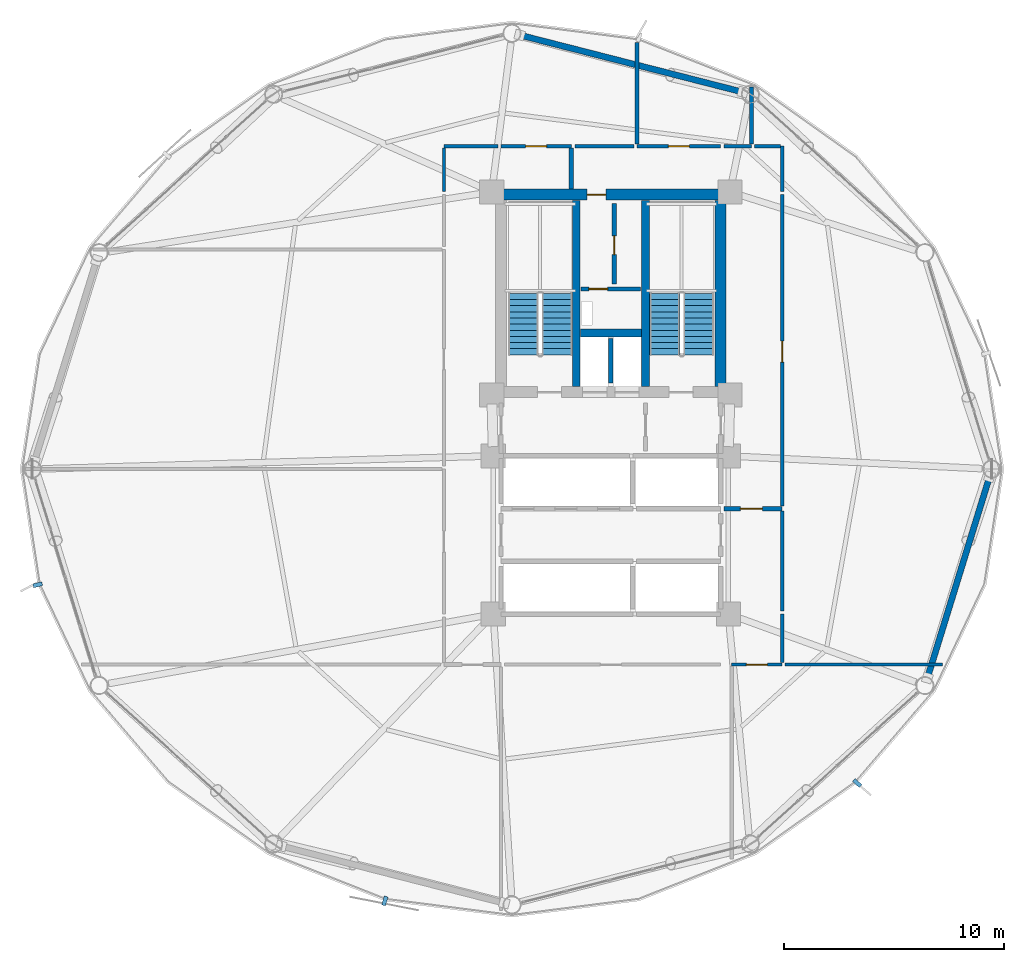
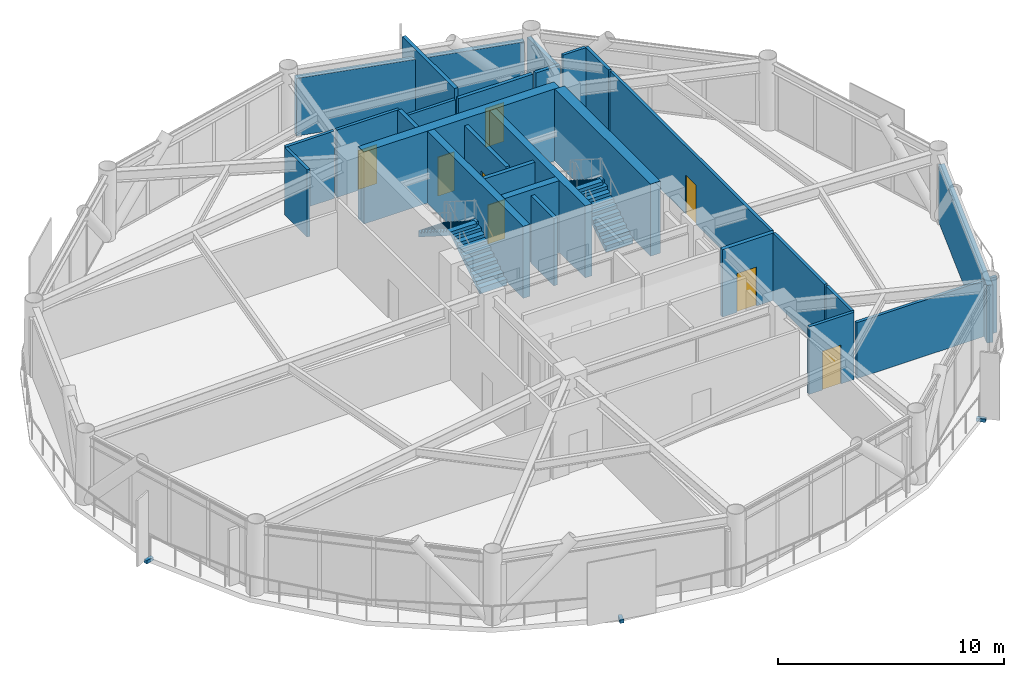
# One storey, part 22 of 26: 27 walls, 8 doors, 4 stair flights, 3 discrete accessories, 8 openings, 2 elements without a shape of their own.
"""IFC4 building model written with IfcOpenShell, lengths in metres."""

import ifcopenshell
import ifcopenshell.guid

model = None  # the IFC model being written
_history = None  # IfcOwnerHistory: only IFC2X3 demands one
_inside = {}  # id of a spatial element -> (the spatial element, [elements in it])
_under = {}  # id of a project, library or spatial element -> (it, [spatial elements below it])
_declared = {}  # id of a project -> (the project, [libraries it declares])
_typed = {}  # id of a type object -> (the type object, [elements of that type])
_made_of = {}  # id of a material, layer set ... -> (it, [elements and type objects made of it])


def new_model(schema):
    """Start an empty IFC model of exactly this schema.

    Asked for "IFC4X3", IfcOpenShell would pick the latest addendum, in which some entities
    have other attributes; the version numbers below select the first issue.
    IFC2X3 requires an IfcOwnerHistory on every rooted entity: one is made here for all.
    """
    global model, _history
    if schema == "IFC4X3":
        model = ifcopenshell.file(schema_version=(4, 3, 0, 0))
    else:
        model = ifcopenshell.file(schema=schema)
    _inside.clear()
    _under.clear()
    _declared.clear()
    _typed.clear()
    _made_of.clear()
    _history = None
    if model.schema == "IFC2X3":
        org = make("IfcOrganization", Name="unknown")
        user = make(
            "IfcPersonAndOrganization",
            ThePerson=make("IfcPerson", FamilyName="unknown"),
            TheOrganization=org,
        )
        app = make(
            "IfcApplication",
            ApplicationDeveloper=org,
            Version="unknown",
            ApplicationFullName="unknown",
            ApplicationIdentifier="unknown",
        )
        _history = make(
            "IfcOwnerHistory",
            OwningUser=user,
            OwningApplication=app,
            ChangeAction="ADDED",
            CreationDate=0,
        )
    return model


def make(cls, **values):
    """One entity of the class cls with the attributes given. An attribute that is None is left unset."""
    return model.create_entity(
        cls, **{name: value for name, value in values.items() if value is not None}
    )


def rooted(cls, **values):
    """An entity with a GlobalId (a new one), such as an element, a storey or a relation."""
    return make(cls, GlobalId=ifcopenshell.guid.new(), OwnerHistory=_history, **values)


def si_unit(unit_type, name, prefix=None):
    """IfcSIUnit, for example si_unit("LENGTHUNIT", "METRE", prefix="MILLI")."""
    return make("IfcSIUnit", UnitType=unit_type, Prefix=prefix, Name=name)


def assignment(units):
    """IfcUnitAssignment: the units of a project."""
    return None if units is None else make("IfcUnitAssignment", Units=units)


def point(xyz):
    """IfcCartesianPoint."""
    return None if xyz is None else make("IfcCartesianPoint", Coordinates=xyz)


def direction(xyz):
    """IfcDirection."""
    return None if xyz is None else make("IfcDirection", DirectionRatios=xyz)


def frame(location, z_axis=None, x_axis=None):
    """IfcAxis2Placement3D, a coordinate frame: its origin and axes. An axis left out is left unset."""
    return make(
        "IfcAxis2Placement3D",
        Location=point(location),
        Axis=direction(z_axis),
        RefDirection=direction(x_axis),
    )


def frame_2d(location, x_axis=None):
    """IfcAxis2Placement2D, a coordinate frame in the plane: its origin and x axis."""
    return make(
        "IfcAxis2Placement2D", Location=point(location), RefDirection=direction(x_axis)
    )


def origin():
    """The frame at (0, 0, 0) with its axes left unset."""
    return frame((0.0, 0.0, 0.0))


def origin_2d():
    """The frame at (0, 0) in the plane with its x axis left unset."""
    return frame_2d((0.0, 0.0))


def place(relative_to, where):
    """IfcLocalPlacement: puts the frame where relative to a parent placement (None: the world)."""
    return make(
        "IfcLocalPlacement", PlacementRelTo=relative_to, RelativePlacement=where
    )


def context(
    kind, dimensions, precision=None, world=None, true_north=None, identifier=None
):
    """IfcGeometricRepresentationContext, for example the 3D "Model" context."""
    return make(
        "IfcGeometricRepresentationContext",
        ContextIdentifier=identifier,
        ContextType=kind,
        CoordinateSpaceDimension=dimensions,
        Precision=precision,
        WorldCoordinateSystem=world,
        TrueNorth=true_north,
    )


def subcontext(parent, identifier, kind, view, scale=None):
    """IfcGeometricRepresentationSubContext, for example "Body" below "Model"."""
    return make(
        "IfcGeometricRepresentationSubContext",
        ContextIdentifier=identifier,
        ContextType=kind,
        ParentContext=parent,
        TargetScale=scale,
        TargetView=view,
    )


def project(units=None, contexts=None):
    """IfcProject with its units and contexts."""
    return rooted(
        "IfcProject",
        Name="project",
        RepresentationContexts=contexts,
        UnitsInContext=assignment(units),
    )


def spatial(cls, under=None, at=None, **own):
    """A site, building, storey or space (cls), placed at a placement, below another one or the project."""
    s = rooted(cls, ObjectPlacement=at, **own)
    if under is not None:
        _under.setdefault(under.id(), (under, []))[1].append(s)
    return s


def polyline(points):
    """IfcPolyline through the points."""
    return make("IfcPolyline", Points=[point(p) for p in points])


def profile(cls, at=None, kind="AREA", **sizes):
    """A parametric profile (cls). Its sizes go by their IFC names, for example OverallWidth=200.0."""
    return make(cls, ProfileType=kind, Position=at, **sizes)


def rectangle(**sizes):
    """IfcRectangleProfileDef."""
    return profile("IfcRectangleProfileDef", **sizes)


def outline(outer, holes=None, kind="AREA"):
    """IfcArbitraryClosedProfileDef: a profile drawn as a closed curve; with holes, ...WithVoids."""
    if holes is None:
        return make("IfcArbitraryClosedProfileDef", ProfileType=kind, OuterCurve=outer)
    return make(
        "IfcArbitraryProfileDefWithVoids",
        ProfileType=kind,
        OuterCurve=outer,
        InnerCurves=holes,
    )


def extrude(swept, where, along, depth):
    """IfcExtrudedAreaSolid: the profile swept, set in the frame where, extruded along a direction by depth."""
    return make(
        "IfcExtrudedAreaSolid",
        SweptArea=swept,
        Position=where,
        ExtrudedDirection=direction(along),
        Depth=depth,
    )


def shape(context_of_items, identifier, shape_type, items):
    """IfcShapeRepresentation: the items that make up one representation, for example the "Body"."""
    return make(
        "IfcShapeRepresentation",
        ContextOfItems=context_of_items,
        RepresentationIdentifier=identifier,
        RepresentationType=shape_type,
        Items=items,
    )


def source(mapping_origin, context_of_items, identifier, shape_type, items):
    """IfcRepresentationMap: a shape defined once, which mapped items show again and again."""
    return make(
        "IfcRepresentationMap",
        MappingOrigin=mapping_origin,
        MappedRepresentation=shape(context_of_items, identifier, shape_type, items),
    )


def transform(
    local_origin,
    x_axis=None,
    y_axis=None,
    z_axis=None,
    scale=None,
    scale2=None,
    scale3=None,
    uniform=True,
):
    """IfcCartesianTransformationOperator3D, or its non-uniform kind. x_axis, y_axis, z_axis: its Axis1, 2, 3."""
    if uniform:
        return make(
            "IfcCartesianTransformationOperator3D",
            Axis1=direction(x_axis),
            Axis2=direction(y_axis),
            LocalOrigin=point(local_origin),
            Scale=scale,
            Axis3=direction(z_axis),
        )
    return make(
        "IfcCartesianTransformationOperator3DnonUniform",
        Axis1=direction(x_axis),
        Axis2=direction(y_axis),
        LocalOrigin=point(local_origin),
        Scale=scale,
        Axis3=direction(z_axis),
        Scale2=scale2,
        Scale3=scale3,
    )


def mapped(mapping_source, mapping_target):
    """IfcMappedItem: shows the shape of a source again, moved by a transform."""
    return make(
        "IfcMappedItem", MappingSource=mapping_source, MappingTarget=mapping_target
    )


def material(Name=None, Category=None):
    """IfcMaterial."""
    return make("IfcMaterial", Name=Name, Category=Category)


def layer(
    of_material, thickness, ventilated=None, Name=None, Category=None, Priority=None
):
    """IfcMaterialLayer: one layer of a wall or slab, of a material (None: an air gap)."""
    return make(
        "IfcMaterialLayer",
        Material=of_material,
        LayerThickness=thickness,
        IsVentilated=ventilated,
        Name=Name,
        Category=Category,
        Priority=Priority,
    )


def layer_set(layers, Name=None):
    """IfcMaterialLayerSet."""
    return make("IfcMaterialLayerSet", MaterialLayers=layers, LayerSetName=Name)


def made_of(thing, what):
    """Note that an element or type object is made of a material, layer set ...; save() writes the relation."""
    if what is not None:
        _made_of.setdefault(what.id(), (what, []))[1].append(thing)
    return thing


def type_object(cls, material=None, **own):
    """A type object (cls), such as IfcWallType, which elements share."""
    return made_of(rooted(cls, **own), material)


def type_shapes(of_type, sources):
    """Give a type object the sources (RepresentationMaps) that its elements show as mapped items."""
    of_type.RepresentationMaps = sources


def element(
    cls,
    number,
    at=None,
    inside=None,
    cuts=None,
    type_object=None,
    material=None,
    context=None,
    identifier="Body",
    shape_type=None,
    held_by="IfcProductDefinitionShape",
    body=None,
    shapes=None,
    **own,
):
    """One element of the class cls, such as IfcWall. Its Tag is "e" and its number.

    at: its placement. inside: the storey or other place that contains it. cuts: it is an
    opening in that element (IfcRelVoidsElement). A single representation is given by context,
    identifier, shape_type and body (its items); several are given by shapes. held_by: the class
    of the entity that holds the representations. save() writes the other relations.
    """
    e = rooted(cls, Tag="e%d" % number, ObjectPlacement=at, **own)
    if body is not None:
        shapes = [shape(context, identifier, shape_type, body)]
    if shapes is not None:
        e.Representation = make(held_by, Representations=shapes)
    if inside is not None:
        _inside.setdefault(inside.id(), (inside, []))[1].append(e)
    if cuts is not None:
        rooted(
            "IfcRelVoidsElement", RelatingBuildingElement=cuts, RelatedOpeningElement=e
        )
    if type_object is not None:
        _typed.setdefault(type_object.id(), (type_object, []))[1].append(e)
    return made_of(e, material)


def fill(opening, filler):
    """IfcRelFillsElement: the door or window that sits in an opening."""
    return rooted(
        "IfcRelFillsElement",
        RelatingOpeningElement=opening,
        RelatedBuildingElement=filler,
    )


def aggregate(whole, parts):
    """IfcRelAggregates: a whole, such as a stair, and the parts it consists of."""
    return rooted("IfcRelAggregates", RelatingObject=whole, RelatedObjects=parts)


def save(model, path):
    """Write the relations noted so far, then the file.

    IfcRelAggregates (storeys below a building ...), IfcRelContainedInSpatialStructure (elements
    in a storey), IfcRelDefinesByType, IfcRelAssociatesMaterial and IfcRelDeclares: one each for
    every whole, place, type object, material and project.
    """
    for whole, parts in _under.values():
        aggregate(whole, parts)
    for where, things in _inside.values():
        rooted(
            "IfcRelContainedInSpatialStructure",
            RelatedElements=things,
            RelatingStructure=where,
        )
    for kind, things in _typed.values():
        rooted("IfcRelDefinesByType", RelatedObjects=things, RelatingType=kind)
    for what, things in _made_of.values():
        rooted("IfcRelAssociatesMaterial", RelatedObjects=things, RelatingMaterial=what)
    for by, libraries in _declared.values():
        rooted("IfcRelDeclares", RelatingContext=by, RelatedDefinitions=libraries)
    model.write(path)


model = new_model("IFC4")

# Units and contexts
model_context = context("Model", 3, precision=1e-05, world=origin(), true_north=direction((0.0, 1.0)))
body_context = subcontext(model_context, "Body", "Model", "MODEL_VIEW")
ifc_project = project(units=[si_unit("LENGTHUNIT", "METRE"), si_unit("AREAUNIT", "SQUARE_METRE"), si_unit("VOLUMEUNIT", "CUBIC_METRE"), si_unit("PLANEANGLEUNIT", "RADIAN"), si_unit("MASSUNIT", "GRAM", prefix="KILO")], contexts=[model_context])

# Site, building, storey
site_placement = place(None, origin())
site = spatial("IfcSite", under=ifc_project, at=site_placement, CompositionType="ELEMENT")
building_placement = place(site_placement, origin())
building = spatial("IfcBuilding", under=site, at=building_placement, Name="Varnakorn Sky Granary", CompositionType="ELEMENT")
storey_placement = place(building_placement, frame((0.0, 0.0, 87.60009765625)))
storey = spatial("IfcBuildingStorey", under=building, at=storey_placement, Name="L21", CompositionType="ELEMENT", Elevation=87.60009765625)

# Walls
ifc_material_1 = material(Name="Concrete C50/60", Category="concrete")
ifc_layer_1 = layer(ifc_material_1, 0.35009765625, Name="Concrete C50/60")
ifc_layer_set_1 = layer_set([ifc_layer_1], Name="Concrete C50/60")
wall_type_1 = type_object("IfcWallType", Name="WT-CW-INT-350", PredefinedType="SHEAR", material=ifc_layer_set_1)
for number, where, z_axis, x_axis, name in (
    (1, (1.419921875, 3.760009765625, 0.0), (0.0, 0.0, 1.0), (0.0, 1.0, 0.0), "Stair ST-1 Core Wall L21"),
    (2, (4.580078125, 3.760009765625, 0.0), (0.0, 0.0, 1.0), (0.0, 1.0, 0.0), "Stair ST-2 Core Wall L21"),
):
    element("IfcWall", number, at=place(storey_placement, frame(where, z_axis=z_axis, x_axis=x_axis)), inside=storey, type_object=wall_type_1, Name=name, PredefinedType="SHEAR", context=body_context, shape_type="SweptSolid", body=[
        extrude(rectangle(XDim=8.47998046875, YDim=0.35009765625, at=frame_2d((4.239990234375, 0.0))), origin(), (0.0, 0.0, 1.0), 3.891845703125),
    ])
wall_1_placement = place(storey_placement, frame((1.610107421875, 6.199951171875, 0.0), z_axis=(0.0, 0.0, 1.0), x_axis=(1.0, 0.0, 0.0)))
element("IfcWall", 3, at=wall_1_placement, inside=storey, type_object=wall_type_1, Name="Core Lift Shaft Cross Wall L21", PredefinedType="SHEAR", context=body_context, shape_type="SweptSolid", body=[
    extrude(rectangle(XDim=2.77978515625, YDim=0.35009765625, at=frame_2d((1.389892578125, 0.0))), origin(), (0.0, 0.0, 1.0), 3.891845703125),
])

# Wall, opening, door
ifc_material_2 = material(Name="Concrete C60/75", Category="concrete")
ifc_layer_2 = layer(ifc_material_2, 0.5, Name="Concrete C60/75")
ifc_layer_set_2 = layer_set([ifc_layer_2], Name="Concrete C60/75")
wall_type_2 = type_object("IfcWallType", Name="WT-CW-SHEAR-500", PredefinedType="SHEAR", material=ifc_layer_set_2)
wall_2_placement = place(storey_placement, frame((-2.0, 12.5, 0.0), z_axis=(0.0, 0.0, 1.0), x_axis=(1.0, 0.0, 0.0)))
wall_2 = element("IfcWall", 4, at=wall_2_placement, inside=storey, type_object=wall_type_2, Name="Core North Shear Wall L21", PredefinedType="SHEAR", context=body_context, shape_type="SweptSolid", body=[
    extrude(rectangle(XDim=10.0, YDim=0.5, at=frame_2d((5.0, 0.0))), origin(), (0.0, 0.0, 1.0), 3.891845703125),
])
opening_1_placement = place(wall_2_placement, frame((3.919921875, 0.0, 0.0)))
opening_1 = element("IfcOpeningElement", 5, at=opening_1_placement, cuts=wall_2, Name="Opening FD-60N", PredefinedType="OPENING", context=body_context, shape_type="SweptSolid", body=[
    extrude(rectangle(XDim=0.85009765625, YDim=2.10009765625, at=frame_2d((0.425048828125, 1.050048828125))), frame((0.0, 0.260009765625, 0.0), z_axis=(0.0, -1.0, 0.0), x_axis=(1.0, 0.0, 0.0)), (0.0, 0.0, 1.0), 0.52001953125),
])
ifc_material_3 = material(Name="Acoustic Timber Fire Leaf", Category="wood")
door_type_1 = type_object("IfcDoorType", Name="DR-FD60-850", OperationType="NOTDEFINED", PredefinedType="DOOR", material=ifc_material_3)
door_1_placement = place(opening_1_placement, origin())
door_1 = element("IfcDoor", 6, at=door_1_placement, inside=storey, type_object=door_type_1, Name="Core North Service Door L21", OperationType="SINGLE_SWING_LEFT", OverallHeight=2.10009765625, OverallWidth=0.85009765625, PredefinedType="DOOR", context=body_context, shape_type="SweptSolid", body=[
    extrude(rectangle(XDim=0.85009765625, YDim=2.10009765625, at=frame_2d((0.425048828125, 1.050048828125))), frame((0.0, 0.02490234375, 0.0), z_axis=(0.0, -1.0, 0.0), x_axis=(1.0, 0.0, 0.0)), (0.0, 0.0, 1.0), 0.050048828125),
])
fill(opening_1, door_1)

# Walls
wall_3_placement = place(storey_placement, frame((8.0, 3.760009765625, 0.0), z_axis=(0.0, 0.0, 1.0), x_axis=(0.0, 1.0, 0.0)))
element("IfcWall", 7, at=wall_3_placement, inside=storey, type_object=wall_type_2, Name="Core East Shear Wall L21", PredefinedType="SHEAR", context=body_context, shape_type="SweptSolid", body=[
    extrude(rectangle(XDim=8.47998046875, YDim=0.5, at=frame_2d((4.239990234375, 0.0))), origin(), (0.0, 0.0, 1.0), 3.891845703125),
])
ifc_material_4 = material(Name="Precast concrete C40/50", Category="concrete")
ifc_layer_3 = layer(ifc_material_4, 0.280029296875, Name="Precast concrete C40/50")
ifc_layer_set_3 = layer_set([ifc_layer_3], Name="Precast concrete C40/50")
wall_type_3 = type_object("IfcWallType", Name="WT-EW-CRN-280", PredefinedType="SOLIDWALL", material=ifc_layer_set_3)
wall_4_placement = place(storey_placement, frame((-1.14990234375, 19.760498046875, 0.0), z_axis=(0.0, 0.0, 1.0), x_axis=(0.968830004607, -0.247726506803, 0.0)))
element("IfcWall", 8, at=wall_4_placement, inside=storey, type_object=wall_type_3, Name="Agritech Insulated Precast Facade Wall L21-P03", PredefinedType="SOLIDWALL", context=body_context, shape_type="SweptSolid", body=[
    extrude(rectangle(XDim=10.484130859375, YDim=0.280029296875, at=frame_2d((5.2421875, 0.0))), origin(), (0.0, 0.0, 1.0), 3.10986328125),
])
wall_5_placement = place(storey_placement, frame((20.243408203125, -0.345458984375, 0.0), z_axis=(0.0, 0.0, 1.0), x_axis=(-0.295087073691, -0.955470365286, 0.0)))
element("IfcWall", 9, at=wall_5_placement, inside=storey, type_object=wall_type_3, Name="Agritech Insulated Precast Facade Wall L21-P12", PredefinedType="SOLIDWALL", context=body_context, shape_type="SweptSolid", body=[
    extrude(rectangle(XDim=9.593994140625, YDim=0.280029296875, at=frame_2d((4.796875, 0.0))), origin(), (0.0, 0.0, 1.0), 3.10986328125),
])

# Wall, opening, door
ifc_material_5 = material(Name="Autoclaved Aerated Concrete Blockwork", Category="masonry")
ifc_layer_4 = layer(ifc_material_5, 0.199951171875, Name="Autoclaved Aerated Concrete Blockwork")
ifc_layer_set_4 = layer_set([ifc_layer_4], Name="Autoclaved Aerated Concrete Blockwork")
wall_type_4 = type_object("IfcWallType", Name="WT-FIRE-200", PredefinedType="MOVABLE", material=ifc_layer_set_4)
wall_6_placement = place(storey_placement, frame((1.64990234375, 8.199951171875, 0.0), z_axis=(0.0, 0.0, 1.0), x_axis=(1.0, 0.0, 0.0)))
wall_6 = element("IfcWall", 10, at=wall_6_placement, inside=storey, type_object=wall_type_4, Name="Interior Partition Wall L21-015", PredefinedType="MOVABLE", context=body_context, shape_type="SweptSolid", body=[
    extrude(rectangle(XDim=2.7001953125, YDim=0.199951171875, at=frame_2d((1.35009765625, 0.0))), origin(), (0.0, 0.0, 1.0), 3.639892578125),
])
opening_2_placement = place(wall_6_placement, frame((0.35009765625, 0.0, 0.0)))
opening_2 = element("IfcOpeningElement", 11, at=opening_2_placement, cuts=wall_6, Name="Opening FD-60N", PredefinedType="OPENING", context=body_context, shape_type="SweptSolid", body=[
    extrude(rectangle(XDim=0.85009765625, YDim=2.10009765625, at=frame_2d((0.425048828125, 1.050048828125))), frame((0.0, 0.10986328125, 0.0), z_axis=(0.0, -1.0, 0.0), x_axis=(1.0, 0.0, 0.0)), (0.0, 0.0, 1.0), 0.219970703125),
])
door_2_placement = place(opening_2_placement, origin())
door_2 = element("IfcDoor", 12, at=door_2_placement, inside=storey, type_object=door_type_1, Name="Interior Door L21-015-1", OperationType="SINGLE_SWING_RIGHT", OverallHeight=2.10009765625, OverallWidth=0.85009765625, PredefinedType="DOOR", context=body_context, shape_type="SweptSolid", body=[
    extrude(rectangle(XDim=0.85009765625, YDim=2.10009765625, at=frame_2d((0.425048828125, 1.050048828125))), frame((0.0, 0.02490234375, 0.0), z_axis=(0.0, -1.0, 0.0), x_axis=(1.0, 0.0, 0.0)), (0.0, 0.0, 1.0), 0.050048828125),
])
fill(opening_2, door_2)

wall_7_placement = place(storey_placement, frame((3.14990234375, 8.429931640625, 0.0), z_axis=(0.0, 0.0, 1.0), x_axis=(0.0, 1.0, 0.0)))
wall_7 = element("IfcWall", 13, at=wall_7_placement, inside=storey, type_object=wall_type_4, Name="Interior Partition Wall L21-016", PredefinedType="MOVABLE", context=body_context, shape_type="SweptSolid", body=[
    extrude(rectangle(XDim=3.670166015625, YDim=0.199951171875, at=frame_2d((1.8349609375, 0.0))), origin(), (0.0, 0.0, 1.0), 3.639892578125),
])
opening_3_placement = place(wall_7_placement, frame((1.340087890625, 0.0, 0.0)))
opening_3 = element("IfcOpeningElement", 14, at=opening_3_placement, cuts=wall_7, Name="Opening FD-60N", PredefinedType="OPENING", context=body_context, shape_type="SweptSolid", body=[
    extrude(rectangle(XDim=0.85009765625, YDim=2.10009765625, at=frame_2d((0.425048828125, 1.050048828125))), frame((0.0, 0.10986328125, 0.0), z_axis=(0.0, -1.0, 0.0), x_axis=(1.0, 0.0, 0.0)), (0.0, 0.0, 1.0), 0.219970703125),
])
door_3_placement = place(opening_3_placement, origin())
door_3 = element("IfcDoor", 15, at=door_3_placement, inside=storey, type_object=door_type_1, Name="Interior Door L21-016-1", OperationType="SINGLE_SWING_LEFT", OverallHeight=2.10009765625, OverallWidth=0.85009765625, PredefinedType="DOOR", context=body_context, shape_type="SweptSolid", body=[
    extrude(rectangle(XDim=0.85009765625, YDim=2.10009765625, at=frame_2d((0.425048828125, 1.050048828125))), frame((0.0, 0.02490234375, 0.0), z_axis=(0.0, -1.0, 0.0), x_axis=(1.0, 0.0, 0.0)), (0.0, 0.0, 1.0), 0.050048828125),
])
fill(opening_3, door_3)

wall_8_placement = place(storey_placement, frame((8.159912109375, -1.800048828125, 0.0), z_axis=(0.0, 0.0, 1.0), x_axis=(1.0, 0.0, 0.0)))
wall_8 = element("IfcWall", 16, at=wall_8_placement, inside=storey, type_object=wall_type_4, Name="Interior Partition Wall L21-022", PredefinedType="MOVABLE", context=body_context, shape_type="SweptSolid", body=[
    extrude(rectangle(XDim=2.64013671875, YDim=0.199951171875, at=frame_2d((1.320068359375, 0.0))), origin(), (0.0, 0.0, 1.0), 3.639892578125),
])
opening_4_placement = place(wall_8_placement, frame((0.739990234375, 0.0, 0.0)))
opening_4 = element("IfcOpeningElement", 17, at=opening_4_placement, cuts=wall_8, Name="Opening FD-60", PredefinedType="OPENING", context=body_context, shape_type="SweptSolid", body=[
    extrude(rectangle(XDim=1.0, YDim=2.10009765625, at=frame_2d((0.5, 1.050048828125))), frame((0.0, 0.10986328125, 0.0), z_axis=(0.0, -1.0, 0.0), x_axis=(1.0, 0.0, 0.0)), (0.0, 0.0, 1.0), 0.219970703125),
])
door_type_2 = type_object("IfcDoorType", Name="DR-FD60-1000", OperationType="NOTDEFINED", PredefinedType="DOOR", material=ifc_material_3)
door_4_placement = place(opening_4_placement, origin())
door_4 = element("IfcDoor", 18, at=door_4_placement, inside=storey, type_object=door_type_2, Name="Interior Door L21-022-1", OperationType="SINGLE_SWING_LEFT", OverallHeight=2.10009765625, OverallWidth=1.0, PredefinedType="DOOR", context=body_context, shape_type="SweptSolid", body=[
    extrude(rectangle(XDim=1.0, YDim=2.10009765625, at=frame_2d((0.5, 1.050048828125))), frame((0.0, 0.02490234375, 0.0), z_axis=(0.0, -1.0, 0.0), x_axis=(1.0, 0.0, 0.0)), (0.0, 0.0, 1.0), 0.050048828125),
])
fill(opening_4, door_4)

# Wall
wall_9_placement = place(storey_placement, frame((1.199951171875, 14.614990234375, 0.0), z_axis=(0.0, 0.0, 1.0), x_axis=(0.0, -1.0, 0.0)))
element("IfcWall", 19, at=wall_9_placement, inside=storey, type_object=wall_type_4, Name="Interior Partition Wall L21-032", PredefinedType="MOVABLE", context=body_context, shape_type="SweptSolid", body=[
    extrude(rectangle(XDim=1.85498046875, YDim=0.199951171875, at=frame_2d((0.927490234375, 0.0))), origin(), (0.0, 0.0, 1.0), 3.639892578125),
])

# Wall, opening, door
ifc_material_6 = material(Name="Gypsum Plasterboard on Steel Stud", Category="steel")
ifc_layer_5 = layer(ifc_material_6, 0.14990234375, Name="Gypsum Plasterboard on Steel Stud")
ifc_layer_set_5 = layer_set([ifc_layer_5], Name="Gypsum Plasterboard on Steel Stud")
wall_type_5 = type_object("IfcWallType", Name="WT-PART-150", PredefinedType="PARTITIONING", material=ifc_layer_set_5)
wall_10_placement = place(storey_placement, frame((8.5, -8.89990234375, 0.0), z_axis=(0.0, 0.0, 1.0), x_axis=(1.0, 0.0, 0.0)))
wall_10 = element("IfcWall", 20, at=wall_10_placement, inside=storey, type_object=wall_type_5, Name="Interior Partition Wall L21-026", PredefinedType="PARTITIONING", context=body_context, shape_type="SweptSolid", body=[
    extrude(rectangle(XDim=2.300048828125, YDim=0.14990234375, at=frame_2d((1.14990234375, 0.0))), origin(), (0.0, 0.0, 1.0), 3.639892578125),
])
opening_5_placement = place(wall_10_placement, frame((0.675048828125, 0.0, 0.0)))
opening_5 = element("IfcOpeningElement", 21, at=opening_5_placement, cuts=wall_10, Name="Opening ID-95", PredefinedType="OPENING", context=body_context, shape_type="SweptSolid", body=[
    extrude(rectangle(XDim=0.949951171875, YDim=2.10009765625, at=frame_2d((0.47509765625, 1.050048828125))), frame((0.0, 0.0849609375, 0.0), z_axis=(0.0, -1.0, 0.0), x_axis=(1.0, 0.0, 0.0)), (0.0, 0.0, 1.0), 0.169921875),
])
ifc_material_7 = material(Name="Solid-Core Teak Veneer Leaf", Category="timber")
door_type_3 = type_object("IfcDoorType", Name="DR-INT-950", OperationType="NOTDEFINED", PredefinedType="DOOR", material=ifc_material_7)
door_5_placement = place(opening_5_placement, origin())
door_5 = element("IfcDoor", 22, at=door_5_placement, inside=storey, type_object=door_type_3, Name="Interior Door L21-026-1", OperationType="SINGLE_SWING_LEFT", OverallHeight=2.10009765625, OverallWidth=0.949951171875, PredefinedType="DOOR", context=body_context, shape_type="SweptSolid", body=[
    extrude(rectangle(XDim=0.949951171875, YDim=2.10009765625, at=frame_2d((0.47509765625, 1.050048828125))), frame((0.0, 0.02490234375, 0.0), z_axis=(0.0, -1.0, 0.0), x_axis=(1.0, 0.0, 0.0)), (0.0, 0.0, 1.0), 0.050048828125),
])
fill(opening_5, door_5)

wall_11_placement = place(storey_placement, frame((1.199951171875, 14.699951171875, 0.0), z_axis=(0.0, 0.0, 1.0), x_axis=(-1.0, 0.0, 0.0)))
wall_11 = element("IfcWall", 23, at=wall_11_placement, inside=storey, type_object=wall_type_5, Name="Interior Partition Wall L21-029", PredefinedType="PARTITIONING", context=body_context, shape_type="SweptSolid", body=[
    extrude(rectangle(XDim=3.199951171875, YDim=0.14990234375, at=frame_2d((1.60009765625, 0.0))), origin(), (0.0, 0.0, 1.0), 3.639892578125),
])
opening_6_placement = place(wall_11_placement, frame((1.125, 0.0, 0.0)))
opening_6 = element("IfcOpeningElement", 24, at=opening_6_placement, cuts=wall_11, Name="Opening ID-95", PredefinedType="OPENING", context=body_context, shape_type="SweptSolid", body=[
    extrude(rectangle(XDim=0.949951171875, YDim=2.10009765625, at=frame_2d((0.47509765625, 1.050048828125))), frame((0.0, 0.0849609375, 0.0), z_axis=(0.0, -1.0, 0.0), x_axis=(1.0, 0.0, 0.0)), (0.0, 0.0, 1.0), 0.169921875),
])
door_6_placement = place(opening_6_placement, origin())
door_6 = element("IfcDoor", 25, at=door_6_placement, inside=storey, type_object=door_type_3, Name="Interior Door L21-029-1", OperationType="SINGLE_SWING_RIGHT", OverallHeight=2.10009765625, OverallWidth=0.949951171875, PredefinedType="DOOR", context=body_context, shape_type="SweptSolid", body=[
    extrude(rectangle(XDim=0.949951171875, YDim=2.10009765625, at=frame_2d((0.47509765625, 1.050048828125))), frame((0.0, 0.02490234375, 0.0), z_axis=(0.0, -1.0, 0.0), x_axis=(1.0, 0.0, 0.0)), (0.0, 0.0, 1.0), 0.050048828125),
])
fill(opening_6, door_6)

wall_12_placement = place(storey_placement, frame((10.800048828125, -1.68994140625, 0.0), z_axis=(0.0, 0.0, 1.0), x_axis=(0.0, 1.0, 0.0)))
wall_12 = element("IfcWall", 26, at=wall_12_placement, inside=storey, type_object=wall_type_5, Name="Interior Partition Wall L21-030", PredefinedType="PARTITIONING", context=body_context, shape_type="SweptSolid", body=[
    extrude(rectangle(XDim=14.18994140625, YDim=0.14990234375, at=frame_2d((7.094970703125, 0.0))), origin(), (0.0, 0.0, 1.0), 3.639892578125),
])
opening_7_placement = place(wall_12_placement, frame((6.56494140625, 0.0, 0.0)))
opening_7 = element("IfcOpeningElement", 27, at=opening_7_placement, cuts=wall_12, Name="Opening ID-95", PredefinedType="OPENING", context=body_context, shape_type="SweptSolid", body=[
    extrude(rectangle(XDim=0.949951171875, YDim=2.10009765625, at=frame_2d((0.47509765625, 1.050048828125))), frame((0.0, 0.0849609375, 0.0), z_axis=(0.0, -1.0, 0.0), x_axis=(1.0, 0.0, 0.0)), (0.0, 0.0, 1.0), 0.169921875),
])
door_7_placement = place(opening_7_placement, origin())
door_7 = element("IfcDoor", 28, at=door_7_placement, inside=storey, type_object=door_type_3, Name="Interior Door L21-030-1", OperationType="SINGLE_SWING_LEFT", OverallHeight=2.10009765625, OverallWidth=0.949951171875, PredefinedType="DOOR", context=body_context, shape_type="SweptSolid", body=[
    extrude(rectangle(XDim=0.949951171875, YDim=2.10009765625, at=frame_2d((0.47509765625, 1.050048828125))), frame((0.0, 0.02490234375, 0.0), z_axis=(0.0, -1.0, 0.0), x_axis=(1.0, 0.0, 0.0)), (0.0, 0.0, 1.0), 0.050048828125),
])
fill(opening_7, door_7)

# Walls
wall_13_placement = place(storey_placement, frame((10.93505859375, -8.89990234375, 0.0), z_axis=(0.0, 0.0, 1.0), x_axis=(1.0, 0.0, 0.0)))
element("IfcWall", 29, at=wall_13_placement, inside=storey, type_object=wall_type_5, Name="Interior Partition Wall L21-037", PredefinedType="PARTITIONING", context=body_context, shape_type="SweptSolid", body=[
    extrude(rectangle(XDim=7.1689453125, YDim=0.14990234375, at=frame_2d((3.58447265625, 0.0))), origin(), (0.0, 0.0, 1.0), 3.02197265625),
])
wall_14_placement = place(storey_placement, frame((-2.135009765625, 14.699951171875, 0.0), z_axis=(0.0, 0.0, 1.0), x_axis=(-1.0, 0.0, 0.0)))
element("IfcWall", 30, at=wall_14_placement, inside=storey, type_object=wall_type_5, Name="Interior Partition Wall L21-041", PredefinedType="PARTITIONING", context=body_context, shape_type="SweptSolid", body=[
    extrude(rectangle(XDim=2.465087890625, YDim=0.14990234375, at=frame_2d((1.232421875, 0.0))), origin(), (0.0, 0.0, 1.0), 3.639892578125),
])
wall_15_placement = place(storey_placement, frame((-4.60009765625, 14.614990234375, 0.0), z_axis=(0.0, 0.0, 1.0), x_axis=(0.0, -1.0, 0.0)))
element("IfcWall", 31, at=wall_15_placement, inside=storey, type_object=wall_type_5, Name="Interior Partition Wall L21-043", PredefinedType="PARTITIONING", context=body_context, shape_type="SweptSolid", body=[
    extrude(rectangle(XDim=1.97998046875, YDim=0.14990234375, at=frame_2d((0.989990234375, 0.0))), origin(), (0.0, 0.0, 1.0), 3.639892578125),
])
wall_16_placement = place(storey_placement, frame((4.050048828125, 14.699951171875, 0.0), z_axis=(0.0, 0.0, 1.0), x_axis=(-1.0, 0.0, 0.0)))
element("IfcWall", 32, at=wall_16_placement, inside=storey, type_object=wall_type_5, Name="Interior Partition Wall L21-044", PredefinedType="PARTITIONING", context=body_context, shape_type="SweptSolid", body=[
    extrude(rectangle(XDim=2.68994140625, YDim=0.14990234375, at=frame_2d((1.344970703125, 0.0))), origin(), (0.0, 0.0, 1.0), 3.171875),
])
wall_17_placement = place(storey_placement, frame((10.800048828125, 12.635009765625, 0.0), z_axis=(0.0, 0.0, 1.0), x_axis=(0.0, 1.0, 0.0)))
element("IfcWall", 33, at=wall_17_placement, inside=storey, type_object=wall_type_5, Name="Interior Partition Wall L21-046", PredefinedType="PARTITIONING", context=body_context, shape_type="SweptSolid", body=[
    extrude(rectangle(XDim=2.06494140625, YDim=0.14990234375, at=frame_2d((1.032470703125, 0.0))), origin(), (0.0, 0.0, 1.0), 3.639892578125),
])
wall_18_placement = place(storey_placement, frame((10.715087890625, 14.699951171875, 0.0), z_axis=(0.0, 0.0, 1.0), x_axis=(-1.0, 0.0, 0.0)))
element("IfcWall", 34, at=wall_18_placement, inside=storey, type_object=wall_type_5, Name="Interior Partition Wall L21-047", PredefinedType="PARTITIONING", context=body_context, shape_type="SweptSolid", body=[
    extrude(rectangle(XDim=1.1650390625, YDim=0.14990234375, at=frame_2d((0.58251953125, 0.0))), origin(), (0.0, 0.0, 1.0), 3.639892578125),
])
wall_19_placement = place(storey_placement, frame((10.800048828125, -8.81494140625, 0.0), z_axis=(0.0, 0.0, 1.0), x_axis=(0.0, 1.0, 0.0)))
element("IfcWall", 35, at=wall_19_placement, inside=storey, type_object=wall_type_5, Name="Interior Partition Wall L21-048", PredefinedType="PARTITIONING", context=body_context, shape_type="SweptSolid", body=[
    extrude(rectangle(XDim=2.21484375, YDim=0.14990234375, at=frame_2d((1.107421875, 0.0))), origin(), (0.0, 0.0, 1.0), 3.639892578125),
])
wall_20_placement = place(storey_placement, frame((10.800048828125, -6.465087890625, 0.0), z_axis=(0.0, 0.0, 1.0), x_axis=(0.0, 1.0, 0.0)))
element("IfcWall", 36, at=wall_20_placement, inside=storey, type_object=wall_type_5, Name="Interior Partition Wall L21-049", PredefinedType="PARTITIONING", context=body_context, shape_type="SweptSolid", body=[
    extrude(rectangle(XDim=4.55517578125, YDim=0.14990234375, at=frame_2d((2.277587890625, 0.0))), origin(), (0.0, 0.0, 1.0), 3.639892578125),
])

# Wall, opening, door
ifc_material_8 = material(Name="Moisture-Resistant Gypsum on Stud", Category="gypsum")
ifc_layer_6 = layer(ifc_material_8, 0.179931640625, Name="Moisture-Resistant Gypsum on Stud")
ifc_layer_set_6 = layer_set([ifc_layer_6], Name="Moisture-Resistant Gypsum on Stud")
wall_type_6 = type_object("IfcWallType", Name="WT-PLUMB-180", PredefinedType="PLUMBINGWALL", material=ifc_layer_set_6)
wall_21_placement = place(storey_placement, frame((8.0, 14.699951171875, 0.0), z_axis=(0.0, 0.0, 1.0), x_axis=(-1.0, 0.0, 0.0)))
wall_21 = element("IfcWall", 37, at=wall_21_placement, inside=storey, type_object=wall_type_6, Name="Interior Partition Wall L21-023", PredefinedType="PLUMBINGWALL", context=body_context, shape_type="SweptSolid", body=[
    extrude(rectangle(XDim=3.800048828125, YDim=0.179931640625, at=frame_2d((1.89990234375, 0.0))), origin(), (0.0, 0.0, 1.0), 3.171875),
])
opening_8_placement = place(wall_21_placement, frame((1.425048828125, 0.0, 0.0)))
opening_8 = element("IfcOpeningElement", 38, at=opening_8_placement, cuts=wall_21, Name="Opening ID-95", PredefinedType="OPENING", context=body_context, shape_type="SweptSolid", body=[
    extrude(rectangle(XDim=0.949951171875, YDim=2.10009765625, at=frame_2d((0.47509765625, 1.050048828125))), frame((0.0, 0.10009765625, 0.0), z_axis=(0.0, -1.0, 0.0), x_axis=(1.0, 0.0, 0.0)), (0.0, 0.0, 1.0), 0.199951171875),
])
door_8_placement = place(opening_8_placement, origin())
door_8 = element("IfcDoor", 39, at=door_8_placement, inside=storey, type_object=door_type_3, Name="Interior Door L21-023-1", OperationType="SINGLE_SWING_RIGHT", OverallHeight=2.10009765625, OverallWidth=0.949951171875, PredefinedType="DOOR", context=body_context, shape_type="SweptSolid", body=[
    extrude(rectangle(XDim=0.949951171875, YDim=2.10009765625, at=frame_2d((0.47509765625, 1.050048828125))), frame((0.0, 0.02490234375, 0.0), z_axis=(0.0, -1.0, 0.0), x_axis=(1.0, 0.0, 0.0)), (0.0, 0.0, 1.0), 0.050048828125),
])
fill(opening_8, door_8)

# Walls
wall_22_placement = place(storey_placement, frame((9.39990234375, 14.699951171875, 0.0), z_axis=(0.0, 0.0, 1.0), x_axis=(-1.0, 0.0, 0.0)))
element("IfcWall", 40, at=wall_22_placement, inside=storey, type_object=wall_type_6, Name="Interior Partition Wall L21-033", PredefinedType="PLUMBINGWALL", context=body_context, shape_type="SweptSolid", body=[
    extrude(rectangle(XDim=1.25, YDim=0.179931640625, at=frame_2d((0.625, 0.0))), origin(), (0.0, 0.0, 1.0), 3.171875),
])
wall_23_placement = place(storey_placement, frame((4.199951171875, 19.43310546875, 0.0), z_axis=(0.0, 0.0, 1.0), x_axis=(0.0, -1.0, 0.0)))
element("IfcWall", 41, at=wall_23_placement, inside=storey, type_object=wall_type_6, Name="Interior Partition Wall L21-045", PredefinedType="PLUMBINGWALL", context=body_context, shape_type="SweptSolid", body=[
    extrude(rectangle(XDim=4.633056640625, YDim=0.179931640625, at=frame_2d((2.31640625, 0.0))), origin(), (0.0, 0.0, 1.0), 3.639892578125),
])
wall_24_placement = place(storey_placement, frame((9.39990234375, 14.800048828125, 0.0), z_axis=(0.0, 0.0, 1.0), x_axis=(0.0, 1.0, 0.0)))
element("IfcWall", 42, at=wall_24_placement, inside=storey, type_object=wall_type_6, Name="Interior Partition Wall L21-050", PredefinedType="PLUMBINGWALL", context=body_context, shape_type="SweptSolid", body=[
    extrude(rectangle(XDim=2.5869140625, YDim=0.179931640625, at=frame_2d((1.29345703125, 0.0))), origin(), (0.0, 0.0, 1.0), 3.02197265625),
])
ifc_layer_7 = layer(ifc_material_5, 0.199951171875, Name="Autoclaved Aerated Concrete Blockwork")
ifc_layer_set_7 = layer_set([ifc_layer_7], Name="Autoclaved Aerated Concrete Blockwork")
wall_type_7 = type_object("IfcWallType", Name="WT-SHAFT-200", PredefinedType="SOLIDWALL", material=ifc_layer_set_7)
wall_25_placement = place(storey_placement, frame((3.0, 3.919921875, 0.0), z_axis=(0.0, 0.0, 1.0), x_axis=(0.0, 1.0, 0.0)))
element("IfcWall", 43, at=wall_25_placement, inside=storey, type_object=wall_type_7, Name="Interior Partition Wall L21-001", PredefinedType="SOLIDWALL", context=body_context, shape_type="SweptSolid", body=[
    extrude(rectangle(XDim=2.030029296875, YDim=0.199951171875, at=frame_2d((1.01513671875, 0.0))), origin(), (0.0, 0.0, 1.0), 3.639892578125),
])

# Stair, stair flights
ifc_material_9 = material(Name="Concrete C40/50", Category="concrete")
stair_type = type_object("IfcStairType", Name="ST-MAIN-ASSEMBLY", PredefinedType="HALF_TURN_STAIR", material=ifc_material_9)
stair_1_placement = place(storey_placement, origin())
stair_1 = element("IfcStair", 44, at=stair_1_placement, inside=storey, type_object=stair_type, Name="L21 Protected Exit Stair ST-1", PredefinedType="HALF_TURN_STAIR")
stair_flight_type = type_object("IfcStairFlightType", Name="ST-MAIN-FLIGHT", PredefinedType="STRAIGHT", material=ifc_material_9)
stair_flight_1_placement = place(storey_placement, frame((0.550048828125, 5.199951171875, 0.0), z_axis=(0.0, 0.0, 1.0), x_axis=(0.0, 1.0, 0.0)))
stair_flight_1 = element("IfcStairFlight", 45, at=stair_flight_1_placement, type_object=stair_flight_type, Name="ST-1 flight 1", NumberOfRisers=11, NumberOfTreads=10, PredefinedType="STRAIGHT", RiserHeight=0.177272727, TreadLength=0.28, context=body_context, shape_type="SweptSolid", body=[
    extrude(outline(polyline([(0.0, -0.14990234375), (0.0, 0.0), (0.0, 0.17724609375), (0.280029296875, 0.17724609375), (0.280029296875, 0.3544921875), (0.56005859375, 0.3544921875), (0.56005859375, 0.53173828125), (0.840087890625, 0.53173828125), (0.840087890625, 0.708984375), (1.1201171875, 0.708984375), (1.1201171875, 0.886474609375), (1.39990234375, 0.886474609375), (1.39990234375, 1.063720703125), (1.679931640625, 1.063720703125), (1.679931640625, 1.240966796875), (1.9599609375, 1.240966796875), (1.9599609375, 1.418212890625), (2.239990234375, 1.418212890625), (2.239990234375, 1.595458984375), (2.52001953125, 1.595458984375), (2.52001953125, 1.772705078125), (2.800048828125, 1.772705078125), (2.800048828125, 1.949951171875), (2.800048828125, 1.59521484375), (0.050048828125, -0.14990234375), (0.0, -0.14990234375)])), frame((0.0, 0.68994140625, 0.0), z_axis=(0.0, -1.0, 0.0), x_axis=(1.0, 0.0, 0.0)), (0.0, 0.0, 1.0), 1.3798828125),
])
stair_flight_2_placement = place(storey_placement, frame((-0.97998046875, 8.0, 1.949951171875), z_axis=(0.0, 0.0, 1.0), x_axis=(0.0, -1.0, 0.0)))
stair_flight_2 = element("IfcStairFlight", 46, at=stair_flight_2_placement, type_object=stair_flight_type, Name="ST-1 flight 2", NumberOfRisers=11, NumberOfTreads=10, PredefinedType="STRAIGHT", RiserHeight=0.177272727, TreadLength=0.28, context=body_context, shape_type="SweptSolid", body=[
    extrude(outline(polyline([(0.0, -0.14990234375), (0.0, 0.0), (0.0, 0.17724609375), (0.280029296875, 0.17724609375), (0.280029296875, 0.3544921875), (0.56005859375, 0.3544921875), (0.56005859375, 0.53173828125), (0.840087890625, 0.53173828125), (0.840087890625, 0.708984375), (1.1201171875, 0.708984375), (1.1201171875, 0.886474609375), (1.39990234375, 0.886474609375), (1.39990234375, 1.063720703125), (1.679931640625, 1.063720703125), (1.679931640625, 1.240966796875), (1.9599609375, 1.240966796875), (1.9599609375, 1.418212890625), (2.239990234375, 1.418212890625), (2.239990234375, 1.595458984375), (2.52001953125, 1.595458984375), (2.52001953125, 1.772705078125), (2.800048828125, 1.772705078125), (2.800048828125, 1.949951171875), (2.800048828125, 1.59521484375), (0.050048828125, -0.14990234375), (0.0, -0.14990234375)])), frame((0.0, 0.68994140625, 0.0), z_axis=(0.0, -1.0, 0.0), x_axis=(1.0, 0.0, 0.0)), (0.0, 0.0, 1.0), 1.3798828125),
])
aggregate(stair_1, [stair_flight_1, stair_flight_2])

stair_2_placement = place(storey_placement, origin())
stair_2 = element("IfcStair", 47, at=stair_2_placement, inside=storey, type_object=stair_type, Name="L21 Protected Exit Stair ST-2", PredefinedType="HALF_TURN_STAIR")
stair_flight_3_placement = place(storey_placement, frame((6.989990234375, 5.199951171875, 0.0), z_axis=(0.0, 0.0, 1.0), x_axis=(0.0, 1.0, 0.0)))
stair_flight_3 = element("IfcStairFlight", 48, at=stair_flight_3_placement, type_object=stair_flight_type, Name="ST-2 flight 1", NumberOfRisers=11, NumberOfTreads=10, PredefinedType="STRAIGHT", RiserHeight=0.177272727, TreadLength=0.28, context=body_context, shape_type="SweptSolid", body=[
    extrude(outline(polyline([(0.0, -0.14990234375), (0.0, 0.0), (0.0, 0.17724609375), (0.280029296875, 0.17724609375), (0.280029296875, 0.3544921875), (0.56005859375, 0.3544921875), (0.56005859375, 0.53173828125), (0.840087890625, 0.53173828125), (0.840087890625, 0.708984375), (1.1201171875, 0.708984375), (1.1201171875, 0.886474609375), (1.39990234375, 0.886474609375), (1.39990234375, 1.063720703125), (1.679931640625, 1.063720703125), (1.679931640625, 1.240966796875), (1.9599609375, 1.240966796875), (1.9599609375, 1.418212890625), (2.239990234375, 1.418212890625), (2.239990234375, 1.595458984375), (2.52001953125, 1.595458984375), (2.52001953125, 1.772705078125), (2.800048828125, 1.772705078125), (2.800048828125, 1.949951171875), (2.800048828125, 1.59521484375), (0.050048828125, -0.14990234375), (0.0, -0.14990234375)])), frame((0.0, 0.68994140625, 0.0), z_axis=(0.0, -1.0, 0.0), x_axis=(1.0, 0.0, 0.0)), (0.0, 0.0, 1.0), 1.3798828125),
])
stair_flight_4_placement = place(storey_placement, frame((5.4599609375, 8.0, 1.949951171875), z_axis=(0.0, 0.0, 1.0), x_axis=(0.0, -1.0, 0.0)))
stair_flight_4 = element("IfcStairFlight", 49, at=stair_flight_4_placement, type_object=stair_flight_type, Name="ST-2 flight 2", NumberOfRisers=11, NumberOfTreads=10, PredefinedType="STRAIGHT", RiserHeight=0.177272727, TreadLength=0.28, context=body_context, shape_type="SweptSolid", body=[
    extrude(outline(polyline([(0.0, -0.14990234375), (0.0, 0.0), (0.0, 0.17724609375), (0.280029296875, 0.17724609375), (0.280029296875, 0.3544921875), (0.56005859375, 0.3544921875), (0.56005859375, 0.53173828125), (0.840087890625, 0.53173828125), (0.840087890625, 0.708984375), (1.1201171875, 0.708984375), (1.1201171875, 0.886474609375), (1.39990234375, 0.886474609375), (1.39990234375, 1.063720703125), (1.679931640625, 1.063720703125), (1.679931640625, 1.240966796875), (1.9599609375, 1.240966796875), (1.9599609375, 1.418212890625), (2.239990234375, 1.418212890625), (2.239990234375, 1.595458984375), (2.52001953125, 1.595458984375), (2.52001953125, 1.772705078125), (2.800048828125, 1.772705078125), (2.800048828125, 1.949951171875), (2.800048828125, 1.59521484375), (0.050048828125, -0.14990234375), (0.0, -0.14990234375)])), frame((0.0, 0.68994140625, 0.0), z_axis=(0.0, -1.0, 0.0), x_axis=(1.0, 0.0, 0.0)), (0.0, 0.0, 1.0), 1.3798828125),
])
aggregate(stair_2, [stair_flight_3, stair_flight_4])

# Discrete accessories
ifc_material_10 = material(Name="Steel S355JR", Category="steel")
discrete_accessory_type = type_object("IfcDiscreteAccessoryType", Name="AC-BRK-01", PredefinedType="BRACKET", material=ifc_material_10)
shared_shape = source(origin(), body_context, "Body", "SweptSolid", [
    extrude(rectangle(XDim=0.179931640625, YDim=0.419921875, at=origin_2d()), origin(), (0.0, 0.0, 1.0), 0.179931640625),
])
type_shapes(discrete_accessory_type, [shared_shape])
for number, where, z_axis, x_axis, name in (
    (50, (-23.093994140625, -5.265625, -0.2001953125), (0.0, 0.0, 1.0), (0.236905362116, -0.971532732027, 0.0), "Facade Solar-Screen Outrigger Bracket L21-07"),
    (51, (-7.288818359375, -19.66064453125, -0.2001953125), (0.0, 0.0, 1.0), (0.959284105325, -0.282442923918, 0.0), "Facade Solar-Screen Outrigger Bracket L21-09"),
    (52, (14.2158203125, -14.29345703125, -0.2001953125), (0.0, 0.0, 1.0), (0.672837247203, 0.739790537096, 0.0), "Facade Solar-Screen Outrigger Bracket L21-11"),
):
    element("IfcDiscreteAccessory", number, at=place(storey_placement, frame(where, z_axis=z_axis, x_axis=x_axis)), inside=storey, type_object=discrete_accessory_type, Name=name, PredefinedType="BRACKET", context=body_context, shape_type="MappedRepresentation", body=[
        mapped(shared_shape, transform((0.0, 0.0, 0.0), x_axis=(1.0, 0.0, 0.0), y_axis=(0.0, 1.0, 0.0), z_axis=(0.0, 0.0, 1.0), scale=1.0)),
    ])

save(model, "model.ifc")
